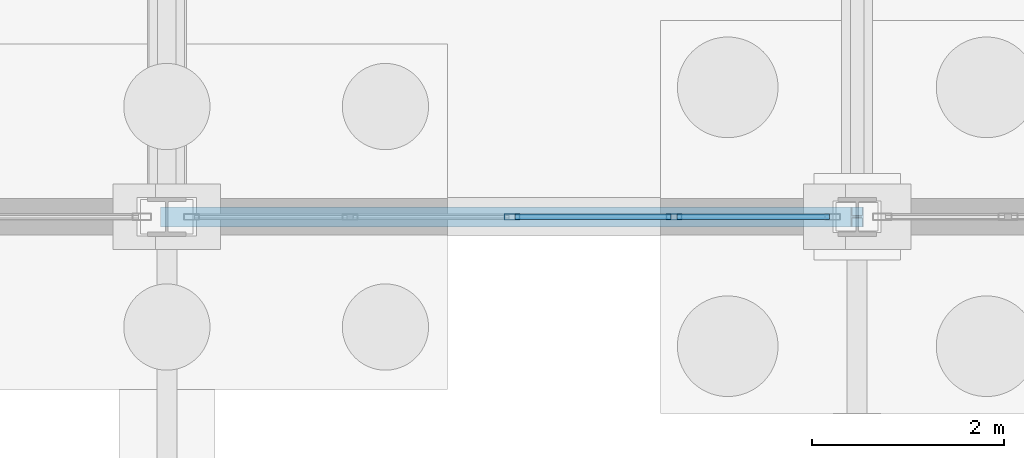
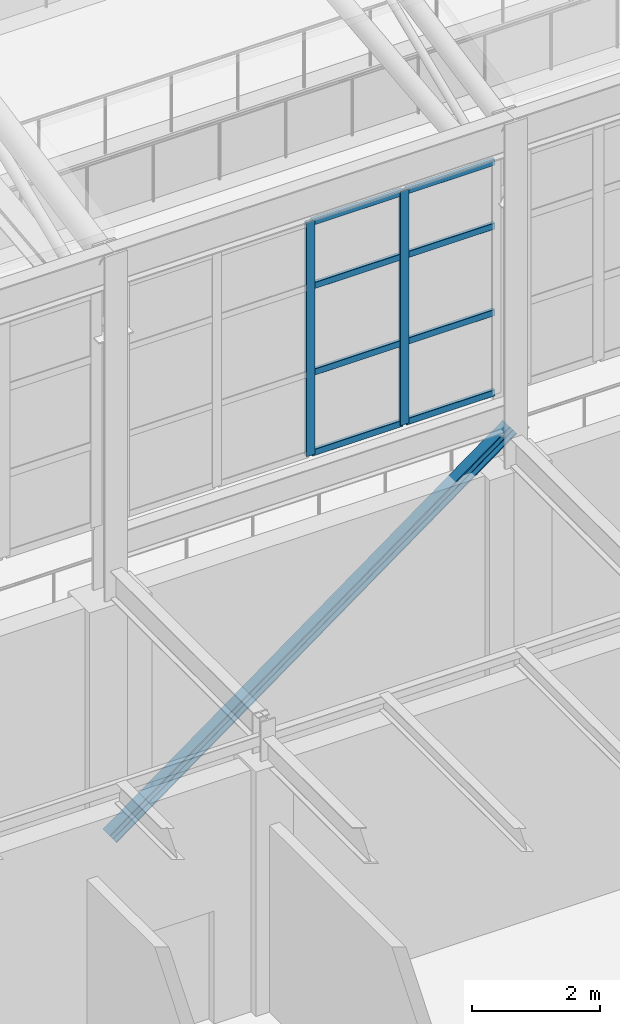
# One storey, part 169 of 293: 11 members, 1 element without a shape of its own.
"""IFC4 building model written with IfcOpenShell, lengths in metres."""

import ifcopenshell
import ifcopenshell.guid

model = None  # the IFC model being written
_history = None  # IfcOwnerHistory: only IFC2X3 demands one
_inside = {}  # id of a spatial element -> (the spatial element, [elements in it])
_under = {}  # id of a project, library or spatial element -> (it, [spatial elements below it])
_declared = {}  # id of a project -> (the project, [libraries it declares])
_typed = {}  # id of a type object -> (the type object, [elements of that type])
_made_of = {}  # id of a material, layer set ... -> (it, [elements and type objects made of it])


def new_model(schema):
    """Start an empty IFC model of exactly this schema.

    Asked for "IFC4X3", IfcOpenShell would pick the latest addendum, in which some entities
    have other attributes; the version numbers below select the first issue.
    IFC2X3 requires an IfcOwnerHistory on every rooted entity: one is made here for all.
    """
    global model, _history
    if schema == "IFC4X3":
        model = ifcopenshell.file(schema_version=(4, 3, 0, 0))
    else:
        model = ifcopenshell.file(schema=schema)
    _inside.clear()
    _under.clear()
    _declared.clear()
    _typed.clear()
    _made_of.clear()
    _history = None
    if model.schema == "IFC2X3":
        org = make("IfcOrganization", Name="unknown")
        user = make(
            "IfcPersonAndOrganization",
            ThePerson=make("IfcPerson", FamilyName="unknown"),
            TheOrganization=org,
        )
        app = make(
            "IfcApplication",
            ApplicationDeveloper=org,
            Version="unknown",
            ApplicationFullName="unknown",
            ApplicationIdentifier="unknown",
        )
        _history = make(
            "IfcOwnerHistory",
            OwningUser=user,
            OwningApplication=app,
            ChangeAction="ADDED",
            CreationDate=0,
        )
    return model


def make(cls, **values):
    """One entity of the class cls with the attributes given. An attribute that is None is left unset."""
    return model.create_entity(
        cls, **{name: value for name, value in values.items() if value is not None}
    )


def rooted(cls, **values):
    """An entity with a GlobalId (a new one), such as an element, a storey or a relation."""
    return make(cls, GlobalId=ifcopenshell.guid.new(), OwnerHistory=_history, **values)


def si_unit(unit_type, name, prefix=None):
    """IfcSIUnit, for example si_unit("LENGTHUNIT", "METRE", prefix="MILLI")."""
    return make("IfcSIUnit", UnitType=unit_type, Prefix=prefix, Name=name)


def assignment(units):
    """IfcUnitAssignment: the units of a project."""
    return None if units is None else make("IfcUnitAssignment", Units=units)


def point(xyz):
    """IfcCartesianPoint."""
    return None if xyz is None else make("IfcCartesianPoint", Coordinates=xyz)


def direction(xyz):
    """IfcDirection."""
    return None if xyz is None else make("IfcDirection", DirectionRatios=xyz)


def frame(location, z_axis=None, x_axis=None):
    """IfcAxis2Placement3D, a coordinate frame: its origin and axes. An axis left out is left unset."""
    return make(
        "IfcAxis2Placement3D",
        Location=point(location),
        Axis=direction(z_axis),
        RefDirection=direction(x_axis),
    )


def frame_2d(location, x_axis=None):
    """IfcAxis2Placement2D, a coordinate frame in the plane: its origin and x axis."""
    return make(
        "IfcAxis2Placement2D", Location=point(location), RefDirection=direction(x_axis)
    )


def origin():
    """The frame at (0, 0, 0) with its axes left unset."""
    return frame((0.0, 0.0, 0.0))


def origin_2d():
    """The frame at (0, 0) in the plane with its x axis left unset."""
    return frame_2d((0.0, 0.0))


def place(relative_to, where):
    """IfcLocalPlacement: puts the frame where relative to a parent placement (None: the world)."""
    return make(
        "IfcLocalPlacement", PlacementRelTo=relative_to, RelativePlacement=where
    )


def context(
    kind, dimensions, precision=None, world=None, true_north=None, identifier=None
):
    """IfcGeometricRepresentationContext, for example the 3D "Model" context."""
    return make(
        "IfcGeometricRepresentationContext",
        ContextIdentifier=identifier,
        ContextType=kind,
        CoordinateSpaceDimension=dimensions,
        Precision=precision,
        WorldCoordinateSystem=world,
        TrueNorth=true_north,
    )


def subcontext(parent, identifier, kind, view, scale=None):
    """IfcGeometricRepresentationSubContext, for example "Body" below "Model"."""
    return make(
        "IfcGeometricRepresentationSubContext",
        ContextIdentifier=identifier,
        ContextType=kind,
        ParentContext=parent,
        TargetScale=scale,
        TargetView=view,
    )


def project(units=None, contexts=None):
    """IfcProject with its units and contexts."""
    return rooted(
        "IfcProject",
        Name="project",
        RepresentationContexts=contexts,
        UnitsInContext=assignment(units),
    )


def spatial(cls, under=None, at=None, **own):
    """A site, building, storey or space (cls), placed at a placement, below another one or the project."""
    s = rooted(cls, ObjectPlacement=at, **own)
    if under is not None:
        _under.setdefault(under.id(), (under, []))[1].append(s)
    return s


def profile(cls, at=None, kind="AREA", **sizes):
    """A parametric profile (cls). Its sizes go by their IFC names, for example OverallWidth=200.0."""
    return make(cls, ProfileType=kind, Position=at, **sizes)


def hollow_rectangle(**sizes):
    """IfcRectangleHollowProfileDef."""
    return profile("IfcRectangleHollowProfileDef", **sizes)


def i_section(**sizes):
    """IfcIShapeProfileDef."""
    return profile("IfcIShapeProfileDef", **sizes)


def extrude(swept, where, along, depth):
    """IfcExtrudedAreaSolid: the profile swept, set in the frame where, extruded along a direction by depth."""
    return make(
        "IfcExtrudedAreaSolid",
        SweptArea=swept,
        Position=where,
        ExtrudedDirection=direction(along),
        Depth=depth,
    )


def shape(context_of_items, identifier, shape_type, items):
    """IfcShapeRepresentation: the items that make up one representation, for example the "Body"."""
    return make(
        "IfcShapeRepresentation",
        ContextOfItems=context_of_items,
        RepresentationIdentifier=identifier,
        RepresentationType=shape_type,
        Items=items,
    )


def material(Name=None, Category=None):
    """IfcMaterial."""
    return make("IfcMaterial", Name=Name, Category=Category)


def layer(
    of_material, thickness, ventilated=None, Name=None, Category=None, Priority=None
):
    """IfcMaterialLayer: one layer of a wall or slab, of a material (None: an air gap)."""
    return make(
        "IfcMaterialLayer",
        Material=of_material,
        LayerThickness=thickness,
        IsVentilated=ventilated,
        Name=Name,
        Category=Category,
        Priority=Priority,
    )


def layer_set(layers, Name=None):
    """IfcMaterialLayerSet."""
    return make("IfcMaterialLayerSet", MaterialLayers=layers, LayerSetName=Name)


def material_profile(
    of_material, cross_section, Name=None, Category=None, Priority=None
):
    """IfcMaterialProfile: a cross section and its material."""
    return make(
        "IfcMaterialProfile",
        Name=Name,
        Material=of_material,
        Profile=cross_section,
        Priority=Priority,
        Category=Category,
    )


def profile_set(profiles, Name=None, composite=None):
    """IfcMaterialProfileSet."""
    return make(
        "IfcMaterialProfileSet",
        Name=Name,
        MaterialProfiles=profiles,
        CompositeProfile=composite,
    )


def made_of(thing, what):
    """Note that an element or type object is made of a material, layer set ...; save() writes the relation."""
    if what is not None:
        _made_of.setdefault(what.id(), (what, []))[1].append(thing)
    return thing


def type_object(cls, material=None, **own):
    """A type object (cls), such as IfcWallType, which elements share."""
    return made_of(rooted(cls, **own), material)


def element(
    cls,
    number,
    at=None,
    inside=None,
    cuts=None,
    type_object=None,
    material=None,
    context=None,
    identifier="Body",
    shape_type=None,
    held_by="IfcProductDefinitionShape",
    body=None,
    shapes=None,
    **own,
):
    """One element of the class cls, such as IfcWall. Its Tag is "e" and its number.

    at: its placement. inside: the storey or other place that contains it. cuts: it is an
    opening in that element (IfcRelVoidsElement). A single representation is given by context,
    identifier, shape_type and body (its items); several are given by shapes. held_by: the class
    of the entity that holds the representations. save() writes the other relations.
    """
    e = rooted(cls, Tag="e%d" % number, ObjectPlacement=at, **own)
    if body is not None:
        shapes = [shape(context, identifier, shape_type, body)]
    if shapes is not None:
        e.Representation = make(held_by, Representations=shapes)
    if inside is not None:
        _inside.setdefault(inside.id(), (inside, []))[1].append(e)
    if cuts is not None:
        rooted(
            "IfcRelVoidsElement", RelatingBuildingElement=cuts, RelatedOpeningElement=e
        )
    if type_object is not None:
        _typed.setdefault(type_object.id(), (type_object, []))[1].append(e)
    return made_of(e, material)


def aggregate(whole, parts):
    """IfcRelAggregates: a whole, such as a stair, and the parts it consists of."""
    return rooted("IfcRelAggregates", RelatingObject=whole, RelatedObjects=parts)


def save(model, path):
    """Write the relations noted so far, then the file.

    IfcRelAggregates (storeys below a building ...), IfcRelContainedInSpatialStructure (elements
    in a storey), IfcRelDefinesByType, IfcRelAssociatesMaterial and IfcRelDeclares: one each for
    every whole, place, type object, material and project.
    """
    for whole, parts in _under.values():
        aggregate(whole, parts)
    for where, things in _inside.values():
        rooted(
            "IfcRelContainedInSpatialStructure",
            RelatedElements=things,
            RelatingStructure=where,
        )
    for kind, things in _typed.values():
        rooted("IfcRelDefinesByType", RelatedObjects=things, RelatingType=kind)
    for what, things in _made_of.values():
        rooted("IfcRelAssociatesMaterial", RelatedObjects=things, RelatingMaterial=what)
    for by, libraries in _declared.values():
        rooted("IfcRelDeclares", RelatingContext=by, RelatedDefinitions=libraries)
    model.write(path)


model = new_model("IFC4")

# Units and contexts
model_context = context("Model", 3, precision=1e-05, world=origin(), true_north=direction((0.0, 1.0)))
body_context = subcontext(model_context, "Body", "Model", "MODEL_VIEW")
ifc_project = project(units=[si_unit("LENGTHUNIT", "METRE"), si_unit("AREAUNIT", "SQUARE_METRE"), si_unit("VOLUMEUNIT", "CUBIC_METRE"), si_unit("PLANEANGLEUNIT", "RADIAN"), si_unit("MASSUNIT", "GRAM", prefix="KILO")], contexts=[model_context])

# Site, building, storey
site_placement = place(None, origin())
site = spatial("IfcSite", under=ifc_project, at=site_placement, CompositionType="ELEMENT")
building_placement = place(site_placement, origin())
building = spatial("IfcBuilding", under=site, at=building_placement, Name="Kemerveld Promenade Tramway Depot", CompositionType="ELEMENT")
storey_placement = place(building_placement, origin())
storey = spatial("IfcBuildingStorey", under=building, at=storey_placement, Name="L00", CompositionType="ELEMENT", Elevation=0.0)

# Curtain wall, members
ifc_material_1 = material(Name="Bronze anodised aluminium and solar glass", Category="aluminium")
ifc_layer = layer(ifc_material_1, 0.159912109375)
ifc_layer_set = layer_set([ifc_layer], Name="CW-SYS-05")
curtain_wall_type = type_object("IfcCurtainWallType", Name="CW-SYS-05", PredefinedType="USERDEFINED", material=ifc_layer_set)
curtain_wall_placement = place(storey_placement, origin())
curtain_wall = element("IfcCurtainWall", 1, at=curtain_wall_placement, inside=storey, type_object=curtain_wall_type, Name="CW-V1-S-16", ObjectType="GLAZED_CURTAIN_WALL", PredefinedType="USERDEFINED")
ifc_material_2 = material(Name="Bronze anodised aluminium", Category="aluminium")
ifc_material_profile_1 = material_profile(ifc_material_2, hollow_rectangle(XDim=0.06494140625, YDim=0.159912109375, WallThickness=0.00390625, InnerFilletRadius=0.001953125, OuterFilletRadius=0.00390625, at=origin_2d()), Name="CW-MUL-160x65")
ifc_profile_set_1 = profile_set([ifc_material_profile_1], Name="Bronze anodised aluminium")
member_type_1 = type_object("IfcMemberType", Name="CW-MUL-A", PredefinedType="MULLION", material=ifc_profile_set_1)
member_1_placement = place(storey_placement, frame((149.288330078125, 84.0, 6.199951171875), z_axis=(0.0, 0.0, 1.0), x_axis=(0.0, -1.0, 0.0)))
member_1 = element("IfcMember", 2, at=member_1_placement, type_object=member_type_1, Name="CW05 mullion 2", PredefinedType="MULLION", context=body_context, shape_type="SweptSolid", body=[
    extrude(hollow_rectangle(XDim=0.06494140625, YDim=0.159912109375, WallThickness=0.00390625, InnerFilletRadius=0.001953125, OuterFilletRadius=0.00390625, at=origin_2d()), origin(), (0.0, 0.0, 1.0), 4.449951171875),
])
member_2_placement = place(storey_placement, frame((147.60009765625, 84.0, 6.199951171875), z_axis=(0.0, 0.0, 1.0), x_axis=(0.0, -1.0, 0.0)))
member_2 = element("IfcMember", 3, at=member_2_placement, type_object=member_type_1, Name="CW05 mullion 3", PredefinedType="MULLION", context=body_context, shape_type="SweptSolid", body=[
    extrude(hollow_rectangle(XDim=0.06494140625, YDim=0.159912109375, WallThickness=0.00390625, InnerFilletRadius=0.001953125, OuterFilletRadius=0.00390625, at=origin_2d()), origin(), (0.0, 0.0, 1.0), 4.449951171875),
])
ifc_material_profile_2 = material_profile(ifc_material_2, hollow_rectangle(XDim=0.06005859375, YDim=0.1201171875, WallThickness=0.00390625, InnerFilletRadius=0.001953125, OuterFilletRadius=0.00390625, at=origin_2d()), Name="CW-TRN-120x60")
ifc_profile_set_2 = profile_set([ifc_material_profile_2], Name="Bronze anodised aluminium")
member_type_2 = type_object("IfcMemberType", Name="CW-TRN-A", PredefinedType="USERDEFINED", material=ifc_profile_set_2)
member_3_placement = place(storey_placement, frame((150.911865234375, 84.0, 6.22998046875), z_axis=(-1.0, 0.0, 0.0), x_axis=(0.0, -1.0, 0.0)))
member_3 = element("IfcMember", 4, at=member_3_placement, type_object=member_type_2, Name="CW05 transom 1.1", ObjectType="TRANSOM", PredefinedType="USERDEFINED", context=body_context, shape_type="SweptSolid", body=[
    extrude(hollow_rectangle(XDim=0.06005859375, YDim=0.1201171875, WallThickness=0.00390625, InnerFilletRadius=0.001953125, OuterFilletRadius=0.00390625, at=origin_2d()), origin(), (0.0, 0.0, 1.0), 1.591064453125),
])
member_4_placement = place(storey_placement, frame((150.911865234375, 84.0, 7.758056640625), z_axis=(-1.0, 0.0, 0.0), x_axis=(0.0, -1.0, 0.0)))
member_4 = element("IfcMember", 5, at=member_4_placement, type_object=member_type_2, Name="CW05 transom 1.2", ObjectType="TRANSOM", PredefinedType="USERDEFINED", context=body_context, shape_type="SweptSolid", body=[
    extrude(hollow_rectangle(XDim=0.06005859375, YDim=0.1201171875, WallThickness=0.00390625, InnerFilletRadius=0.001953125, OuterFilletRadius=0.00390625, at=origin_2d()), origin(), (0.0, 0.0, 1.0), 1.591064453125),
])
member_5_placement = place(storey_placement, frame((150.911865234375, 84.0, 9.404052734375), z_axis=(-1.0, 0.0, 0.0), x_axis=(0.0, -1.0, 0.0)))
member_5 = element("IfcMember", 6, at=member_5_placement, type_object=member_type_2, Name="CW05 transom 1.3", ObjectType="TRANSOM", PredefinedType="USERDEFINED", context=body_context, shape_type="SweptSolid", body=[
    extrude(hollow_rectangle(XDim=0.06005859375, YDim=0.1201171875, WallThickness=0.00390625, InnerFilletRadius=0.001953125, OuterFilletRadius=0.00390625, at=origin_2d()), origin(), (0.0, 0.0, 1.0), 1.591064453125),
])
member_6_placement = place(storey_placement, frame((150.911865234375, 84.0, 10.6201171875), z_axis=(-1.0, 0.0, 0.0), x_axis=(0.0, -1.0, 0.0)))
member_6 = element("IfcMember", 7, at=member_6_placement, type_object=member_type_2, Name="CW05 transom 1.4", ObjectType="TRANSOM", PredefinedType="USERDEFINED", context=body_context, shape_type="SweptSolid", body=[
    extrude(hollow_rectangle(XDim=0.06005859375, YDim=0.1201171875, WallThickness=0.00390625, InnerFilletRadius=0.001953125, OuterFilletRadius=0.00390625, at=origin_2d()), origin(), (0.0, 0.0, 1.0), 1.591064453125),
])
member_7_placement = place(storey_placement, frame((149.255859375, 84.0, 6.22998046875), z_axis=(-1.0, 0.0, 0.0), x_axis=(0.0, -1.0, 0.0)))
member_7 = element("IfcMember", 8, at=member_7_placement, type_object=member_type_2, Name="CW05 transom 2.1", ObjectType="TRANSOM", PredefinedType="USERDEFINED", context=body_context, shape_type="SweptSolid", body=[
    extrude(hollow_rectangle(XDim=0.06005859375, YDim=0.1201171875, WallThickness=0.00390625, InnerFilletRadius=0.001953125, OuterFilletRadius=0.00390625, at=origin_2d()), origin(), (0.0, 0.0, 1.0), 1.623291015625),
])
member_8_placement = place(storey_placement, frame((149.255859375, 84.0, 7.758056640625), z_axis=(-1.0, 0.0, 0.0), x_axis=(0.0, -1.0, 0.0)))
member_8 = element("IfcMember", 9, at=member_8_placement, type_object=member_type_2, Name="CW05 transom 2.2", ObjectType="TRANSOM", PredefinedType="USERDEFINED", context=body_context, shape_type="SweptSolid", body=[
    extrude(hollow_rectangle(XDim=0.06005859375, YDim=0.1201171875, WallThickness=0.00390625, InnerFilletRadius=0.001953125, OuterFilletRadius=0.00390625, at=origin_2d()), origin(), (0.0, 0.0, 1.0), 1.623291015625),
])
member_9_placement = place(storey_placement, frame((149.255859375, 84.0, 9.404052734375), z_axis=(-1.0, 0.0, 0.0), x_axis=(0.0, -1.0, 0.0)))
member_9 = element("IfcMember", 10, at=member_9_placement, type_object=member_type_2, Name="CW05 transom 2.3", ObjectType="TRANSOM", PredefinedType="USERDEFINED", context=body_context, shape_type="SweptSolid", body=[
    extrude(hollow_rectangle(XDim=0.06005859375, YDim=0.1201171875, WallThickness=0.00390625, InnerFilletRadius=0.001953125, OuterFilletRadius=0.00390625, at=origin_2d()), origin(), (0.0, 0.0, 1.0), 1.623291015625),
])
member_10_placement = place(storey_placement, frame((149.255859375, 84.0, 10.6201171875), z_axis=(-1.0, 0.0, 0.0), x_axis=(0.0, -1.0, 0.0)))
member_10 = element("IfcMember", 11, at=member_10_placement, type_object=member_type_2, Name="CW05 transom 2.4", ObjectType="TRANSOM", PredefinedType="USERDEFINED", context=body_context, shape_type="SweptSolid", body=[
    extrude(hollow_rectangle(XDim=0.06005859375, YDim=0.1201171875, WallThickness=0.00390625, InnerFilletRadius=0.001953125, OuterFilletRadius=0.00390625, at=origin_2d()), origin(), (0.0, 0.0, 1.0), 1.623291015625),
])
aggregate(curtain_wall, [member_1, member_2, member_3, member_4, member_5, member_6, member_7, member_8, member_9, member_10])

# Member
ifc_material_3 = material(Name="Steel S355", Category="steel")
ifc_material_profile_3 = material_profile(ifc_material_3, i_section(OverallWidth=0.208984375, OverallDepth=0.22216796875, WebThickness=0.0126953125, FlangeThickness=0.0205078125, FilletRadius=0.01025390625, at=origin_2d()), Name="203x203x86 UC")
ifc_profile_set_3 = profile_set([ifc_material_profile_3], Name="Steel S355")
member_type_3 = type_object("IfcMemberType", Name="MB-TB5", PredefinedType="BRACE", material=ifc_profile_set_3)
member_11_placement = place(storey_placement, frame((144.0, 84.0, 0.199951171875), z_axis=(0.807288292304, 0.0, 0.590157278281), x_axis=(0.0, 1.0, 0.0)))
element("IfcMember", 12, at=member_11_placement, inside=storey, type_object=member_type_3, Name="BR-SHED-WALL-N-21-A", PredefinedType="BRACE", context=body_context, shape_type="SweptSolid", body=[
    extrude(i_section(OverallWidth=0.208984375, OverallDepth=0.22216796875, WebThickness=0.0126953125, FlangeThickness=0.0205078125, FilletRadius=0.01025390625, at=origin_2d()), origin(), (0.0, 0.0, 1.0), 8.918701171875),
])

save(model, "model.ifc")
